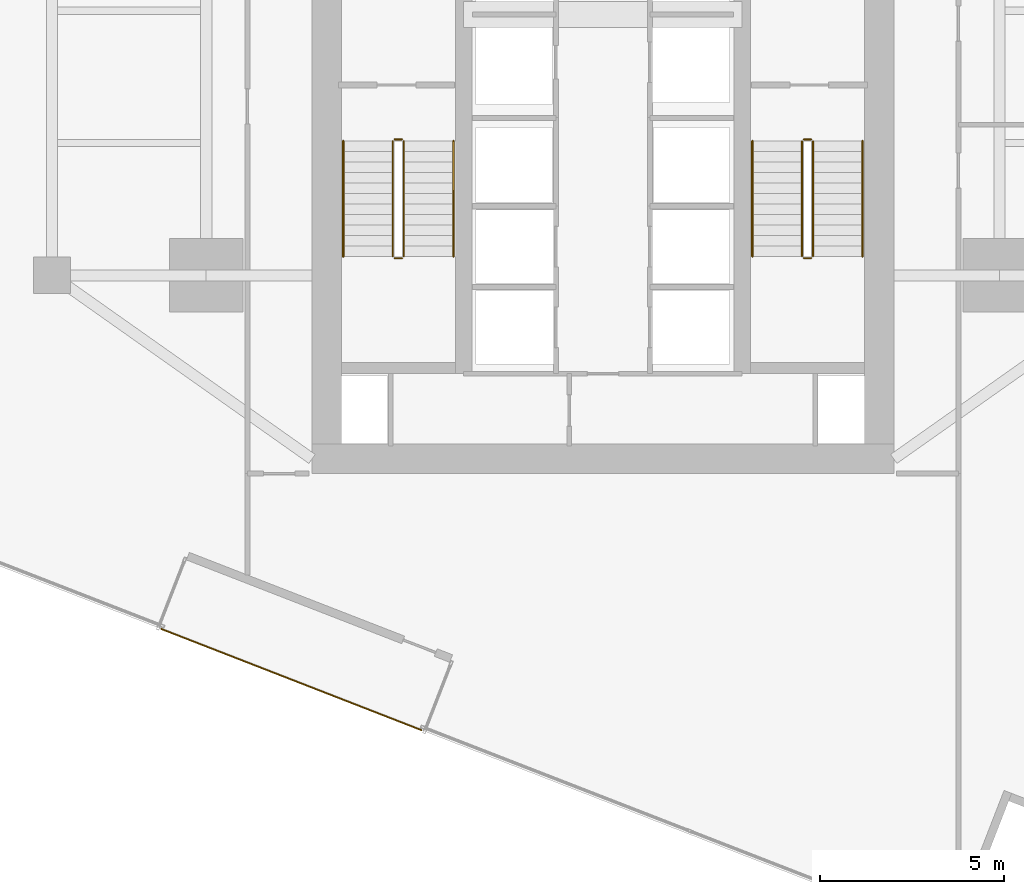
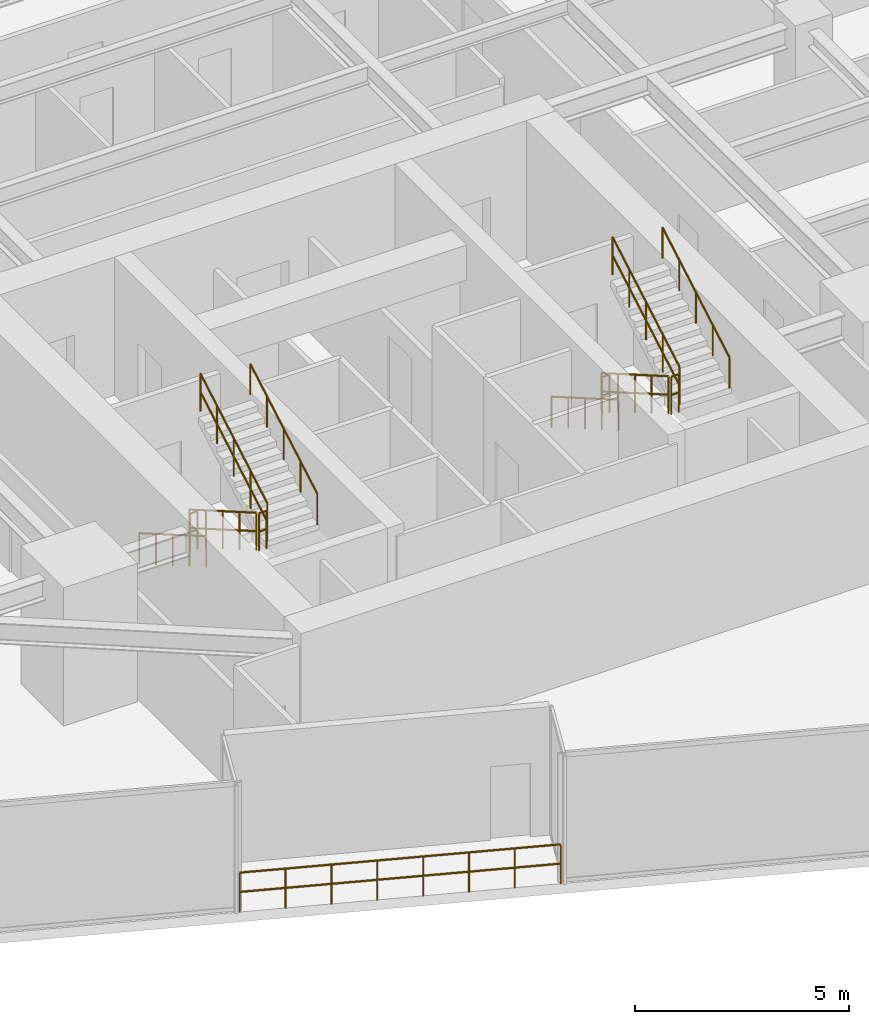
# One storey, part 25 of 26: 13 railings.
"""IFC4 building model written with IfcOpenShell, lengths in metres."""

from ifc_helpers import new_model, si_unit, direction, frame, origin, origin_2d, place, context, subcontext, project, spatial, circle, extrude, material, layer, layer_set, type_object, element, save


model = new_model("IFC4")

# Units and contexts
model_context = context("Model", 3, precision=1e-05, world=origin(), true_north=direction((0.0, 1.0)))
body_context = subcontext(model_context, "Body", "Model", "MODEL_VIEW")
ifc_project = project(units=[si_unit("LENGTHUNIT", "METRE"), si_unit("AREAUNIT", "SQUARE_METRE"), si_unit("VOLUMEUNIT", "CUBIC_METRE"), si_unit("PLANEANGLEUNIT", "RADIAN"), si_unit("MASSUNIT", "GRAM", prefix="KILO")], contexts=[model_context])

# Site, building, storey
site_placement = place(None, origin())
site = spatial("IfcSite", under=ifc_project, at=site_placement, CompositionType="ELEMENT")
building_placement = place(site_placement, origin())
building = spatial("IfcBuilding", under=site, at=building_placement, Name="Krantzveldt Concourse Tower", CompositionType="ELEMENT")
storey_placement = place(building_placement, frame((0.0, 0.0, 129.550048828125)))
storey = spatial("IfcBuildingStorey", under=building, at=storey_placement, Name="L31", CompositionType="ELEMENT", Elevation=129.550048828125)

# Railings
ifc_material = material(Name="Stainless steel 316L", Category="steel")
ifc_layer_1 = layer(ifc_material, 0.080078125, Name="Stainless steel 316L", Category="steel")
ifc_layer_set_1 = layer_set([ifc_layer_1], Name="Stainless steel 316L (RL-BALUSTRADE-1150)")
railing_type_1 = type_object("IfcRailingType", Name="RL-BALUSTRADE-1150", PredefinedType="BALUSTRADE", material=ifc_layer_set_1)
railing_1_placement = place(storey_placement, frame((31.060546875, 3.513671875, 0.0)))
element("IfcRailing", 1, at=railing_1_placement, inside=storey, type_object=railing_type_1, Name="GD-L31-CTER-01", PredefinedType="BALUSTRADE", context=body_context, shape_type="SweptSolid", body=[
    extrude(circle(Radius=0.02392578125, at=origin_2d()), frame((0.0, 0.0, 1.1259765625), z_axis=(-0.932002862961, 0.362450911756, 0.0), x_axis=(-0.362450911756, -0.932002862961, 0.0)), (0.0, 0.0, 1.0), 7.60009765625),
    extrude(circle(Radius=0.02392578125, at=origin_2d()), frame((0.0, 0.0, 0.574951171875), z_axis=(-0.932002862961, 0.362450911756, 0.0), x_axis=(-0.362450911756, -0.932002862961, 0.0)), (0.0, 0.0, 1.0), 7.60009765625),
    extrude(circle(Radius=0.02099609375, at=origin_2d()), origin(), (0.0, 0.0, 1.0), 1.101806640625),
    extrude(circle(Radius=0.02099609375, at=origin_2d()), frame((-1.011962890625, 0.3935546875, 0.0)), (0.0, 0.0, 1.0), 1.101806640625),
    extrude(circle(Radius=0.02099609375, at=origin_2d()), frame((-2.023681640625, 0.787109375, 0.0)), (0.0, 0.0, 1.0), 1.101806640625),
    extrude(circle(Radius=0.02099609375, at=origin_2d()), frame((-3.03564453125, 1.1806640625, 0.0)), (0.0, 0.0, 1.0), 1.101806640625),
    extrude(circle(Radius=0.02099609375, at=origin_2d()), frame((-4.047607421875, 1.573974609375, 0.0)), (0.0, 0.0, 1.0), 1.101806640625),
    extrude(circle(Radius=0.02099609375, at=origin_2d()), frame((-5.0595703125, 1.967529296875, 0.0)), (0.0, 0.0, 1.0), 1.101806640625),
    extrude(circle(Radius=0.02099609375, at=origin_2d()), frame((-6.0712890625, 2.361083984375, 0.0)), (0.0, 0.0, 1.0), 1.101806640625),
    extrude(circle(Radius=0.02099609375, at=origin_2d()), frame((-7.083251953125, 2.754638671875, 0.0)), (0.0, 0.0, 1.0), 1.101806640625),
])
ifc_layer_2 = layer(ifc_material, 0.06005859375, Name="Stainless steel 316L", Category="steel")
ifc_layer_set_2 = layer_set([ifc_layer_2], Name="Stainless steel 316L (RL-GUARD-1120)")
railing_type_2 = type_object("IfcRailingType", Name="RL-GUARD-1120", PredefinedType="GUARDRAIL", material=ifc_layer_set_2)
railing_2_placement = place(storey_placement, frame((30.280029296875, 19.550048828125, 0.16455078125)))
element("IfcRailing", 2, at=railing_2_placement, inside=storey, type_object=railing_type_2, Name="L31 ST-1 stair guard 1", PredefinedType="GUARDRAIL", context=body_context, shape_type="SweptSolid", body=[
    extrude(circle(Radius=0.02392578125, at=origin_2d()), frame((0.0, 0.0, 1.076171875), z_axis=(0.0, -0.865989039225, 0.500062979975), x_axis=(1.0, 0.0, 0.0)), (0.0, 0.0, 1.0), 3.6201171875),
    extrude(circle(Radius=0.02392578125, at=origin_2d()), frame((0.0, 0.0, 0.550048828125), z_axis=(0.0, -0.865989039225, 0.500062979975), x_axis=(1.0, 0.0, 0.0)), (0.0, 0.0, 1.0), 3.6201171875),
    extrude(circle(Radius=0.02099609375, at=origin_2d()), origin(), (0.0, 0.0, 1.0), 1.052001953125),
    extrude(circle(Radius=0.02099609375, at=origin_2d()), frame((0.0, -0.78369140625, 0.45263671875)), (0.0, 0.0, 1.0), 1.052001953125),
    extrude(circle(Radius=0.02099609375, at=origin_2d()), frame((0.0, -1.5673828125, 0.9052734375)), (0.0, 0.0, 1.0), 1.052001953125),
    extrude(circle(Radius=0.02099609375, at=origin_2d()), frame((0.0, -2.351318359375, 1.357666015625)), (0.0, 0.0, 1.0), 1.052001953125),
    extrude(circle(Radius=0.02099609375, at=origin_2d()), frame((0.0, -3.135009765625, 1.810302734375)), (0.0, 0.0, 1.0), 1.052001953125),
])
railing_3_placement = place(storey_placement, frame((30.330078125, 16.364990234375, 1.974853515625)))
element("IfcRailing", 3, at=railing_3_placement, inside=storey, type_object=railing_type_2, Name="L31 ST-1 stair guard 2", PredefinedType="GUARDRAIL", context=body_context, shape_type="SweptSolid", body=[
    extrude(circle(Radius=0.02392578125, at=origin_2d()), frame((0.0, 0.0, 1.076171875), z_axis=(1.0, 0.0, 0.0), x_axis=(0.0, 1.0, 0.0)), (0.0, 0.0, 1.0), 0.199951171875),
    extrude(circle(Radius=0.02392578125, at=origin_2d()), frame((0.0, 0.0, 0.550048828125), z_axis=(1.0, 0.0, 0.0), x_axis=(0.0, 1.0, 0.0)), (0.0, 0.0, 1.0), 0.199951171875),
    extrude(circle(Radius=0.02099609375, at=origin_2d()), origin(), (0.0, 0.0, 1.0), 1.052001953125),
    extrude(circle(Radius=0.02099609375, at=origin_2d()), frame((0.199951171875, 0.0, 0.0)), (0.0, 0.0, 1.0), 1.052001953125),
])
railing_4_placement = place(storey_placement, frame((30.580078125, 16.4150390625, 2.1396484375)))
element("IfcRailing", 4, at=railing_4_placement, inside=storey, type_object=railing_type_2, Name="L31 ST-1 stair guard 3", PredefinedType="GUARDRAIL", context=body_context, shape_type="SweptSolid", body=[
    extrude(circle(Radius=0.02392578125, at=origin_2d()), frame((0.0, 0.0, 1.076171875), z_axis=(0.0, 0.865989039225, 0.500062979975), x_axis=(-1.0, 0.0, 0.0)), (0.0, 0.0, 1.0), 3.6201171875),
    extrude(circle(Radius=0.02392578125, at=origin_2d()), frame((0.0, 0.0, 0.550048828125), z_axis=(0.0, 0.865989039225, 0.500062979975), x_axis=(-1.0, 0.0, 0.0)), (0.0, 0.0, 1.0), 3.6201171875),
    extrude(circle(Radius=0.02099609375, at=origin_2d()), origin(), (0.0, 0.0, 1.0), 1.052001953125),
    extrude(circle(Radius=0.02099609375, at=origin_2d()), frame((0.0, 0.78369140625, 0.45263671875)), (0.0, 0.0, 1.0), 1.052001953125),
    extrude(circle(Radius=0.02099609375, at=origin_2d()), frame((0.0, 1.5673828125, 0.9052734375)), (0.0, 0.0, 1.0), 1.052001953125),
    extrude(circle(Radius=0.02099609375, at=origin_2d()), frame((0.0, 2.351318359375, 1.357666015625)), (0.0, 0.0, 1.0), 1.052001953125),
    extrude(circle(Radius=0.02099609375, at=origin_2d()), frame((0.0, 3.135009765625, 1.810302734375)), (0.0, 0.0, 1.0), 1.052001953125),
])
railing_5_placement = place(storey_placement, frame((30.330078125, 19.60009765625, 0.0)))
element("IfcRailing", 5, at=railing_5_placement, inside=storey, type_object=railing_type_2, Name="L31 ST-1 stair guard 4", PredefinedType="GUARDRAIL", context=body_context, shape_type="SweptSolid", body=[
    extrude(circle(Radius=0.02392578125, at=origin_2d()), frame((0.0, 0.0, 1.076171875), z_axis=(1.0, 0.0, 0.0), x_axis=(0.0, 1.0, 0.0)), (0.0, 0.0, 1.0), 0.199951171875),
    extrude(circle(Radius=0.02392578125, at=origin_2d()), frame((0.0, 0.0, 0.550048828125), z_axis=(1.0, 0.0, 0.0), x_axis=(0.0, 1.0, 0.0)), (0.0, 0.0, 1.0), 0.199951171875),
    extrude(circle(Radius=0.02099609375, at=origin_2d()), origin(), (0.0, 0.0, 1.0), 1.052001953125),
    extrude(circle(Radius=0.02099609375, at=origin_2d()), frame((0.199951171875, 0.0, 0.0)), (0.0, 0.0, 1.0), 1.052001953125),
])
railing_6_placement = place(storey_placement, frame((41.419921875, 19.550048828125, 0.16455078125)))
element("IfcRailing", 6, at=railing_6_placement, inside=storey, type_object=railing_type_2, Name="L31 ST-2 stair guard 1", PredefinedType="GUARDRAIL", context=body_context, shape_type="SweptSolid", body=[
    extrude(circle(Radius=0.02392578125, at=origin_2d()), frame((0.0, 0.0, 1.076171875), z_axis=(0.0, -0.865989039225, 0.500062979975), x_axis=(1.0, 0.0, 0.0)), (0.0, 0.0, 1.0), 3.6201171875),
    extrude(circle(Radius=0.02392578125, at=origin_2d()), frame((0.0, 0.0, 0.550048828125), z_axis=(0.0, -0.865989039225, 0.500062979975), x_axis=(1.0, 0.0, 0.0)), (0.0, 0.0, 1.0), 3.6201171875),
    extrude(circle(Radius=0.02099609375, at=origin_2d()), origin(), (0.0, 0.0, 1.0), 1.052001953125),
    extrude(circle(Radius=0.02099609375, at=origin_2d()), frame((0.0, -0.78369140625, 0.45263671875)), (0.0, 0.0, 1.0), 1.052001953125),
    extrude(circle(Radius=0.02099609375, at=origin_2d()), frame((0.0, -1.5673828125, 0.9052734375)), (0.0, 0.0, 1.0), 1.052001953125),
    extrude(circle(Radius=0.02099609375, at=origin_2d()), frame((0.0, -2.351318359375, 1.357666015625)), (0.0, 0.0, 1.0), 1.052001953125),
    extrude(circle(Radius=0.02099609375, at=origin_2d()), frame((0.0, -3.135009765625, 1.810302734375)), (0.0, 0.0, 1.0), 1.052001953125),
])
railing_7_placement = place(storey_placement, frame((41.469970703125, 16.364990234375, 1.974853515625)))
element("IfcRailing", 7, at=railing_7_placement, inside=storey, type_object=railing_type_2, Name="L31 ST-2 stair guard 2", PredefinedType="GUARDRAIL", context=body_context, shape_type="SweptSolid", body=[
    extrude(circle(Radius=0.02392578125, at=origin_2d()), frame((0.0, 0.0, 1.076171875), z_axis=(1.0, 0.0, 0.0), x_axis=(0.0, 1.0, 0.0)), (0.0, 0.0, 1.0), 0.199951171875),
    extrude(circle(Radius=0.02392578125, at=origin_2d()), frame((0.0, 0.0, 0.550048828125), z_axis=(1.0, 0.0, 0.0), x_axis=(0.0, 1.0, 0.0)), (0.0, 0.0, 1.0), 0.199951171875),
    extrude(circle(Radius=0.02099609375, at=origin_2d()), origin(), (0.0, 0.0, 1.0), 1.052001953125),
    extrude(circle(Radius=0.02099609375, at=origin_2d()), frame((0.199951171875, 0.0, 0.0)), (0.0, 0.0, 1.0), 1.052001953125),
])
railing_8_placement = place(storey_placement, frame((41.719970703125, 16.4150390625, 2.1396484375)))
element("IfcRailing", 8, at=railing_8_placement, inside=storey, type_object=railing_type_2, Name="L31 ST-2 stair guard 3", PredefinedType="GUARDRAIL", context=body_context, shape_type="SweptSolid", body=[
    extrude(circle(Radius=0.02392578125, at=origin_2d()), frame((0.0, 0.0, 1.076171875), z_axis=(0.0, 0.865989039225, 0.500062979975), x_axis=(-1.0, 0.0, 0.0)), (0.0, 0.0, 1.0), 3.6201171875),
    extrude(circle(Radius=0.02392578125, at=origin_2d()), frame((0.0, 0.0, 0.550048828125), z_axis=(0.0, 0.865989039225, 0.500062979975), x_axis=(-1.0, 0.0, 0.0)), (0.0, 0.0, 1.0), 3.6201171875),
    extrude(circle(Radius=0.02099609375, at=origin_2d()), origin(), (0.0, 0.0, 1.0), 1.052001953125),
    extrude(circle(Radius=0.02099609375, at=origin_2d()), frame((0.0, 0.78369140625, 0.45263671875)), (0.0, 0.0, 1.0), 1.052001953125),
    extrude(circle(Radius=0.02099609375, at=origin_2d()), frame((0.0, 1.5673828125, 0.9052734375)), (0.0, 0.0, 1.0), 1.052001953125),
    extrude(circle(Radius=0.02099609375, at=origin_2d()), frame((0.0, 2.351318359375, 1.357666015625)), (0.0, 0.0, 1.0), 1.052001953125),
    extrude(circle(Radius=0.02099609375, at=origin_2d()), frame((0.0, 3.135009765625, 1.810302734375)), (0.0, 0.0, 1.0), 1.052001953125),
])
railing_9_placement = place(storey_placement, frame((41.469970703125, 19.60009765625, 0.0)))
element("IfcRailing", 9, at=railing_9_placement, inside=storey, type_object=railing_type_2, Name="L31 ST-2 stair guard 4", PredefinedType="GUARDRAIL", context=body_context, shape_type="SweptSolid", body=[
    extrude(circle(Radius=0.02392578125, at=origin_2d()), frame((0.0, 0.0, 1.076171875), z_axis=(1.0, 0.0, 0.0), x_axis=(0.0, 1.0, 0.0)), (0.0, 0.0, 1.0), 0.199951171875),
    extrude(circle(Radius=0.02392578125, at=origin_2d()), frame((0.0, 0.0, 0.550048828125), z_axis=(1.0, 0.0, 0.0), x_axis=(0.0, 1.0, 0.0)), (0.0, 0.0, 1.0), 0.199951171875),
    extrude(circle(Radius=0.02099609375, at=origin_2d()), origin(), (0.0, 0.0, 1.0), 1.052001953125),
    extrude(circle(Radius=0.02099609375, at=origin_2d()), frame((0.199951171875, 0.0, 0.0)), (0.0, 0.0, 1.0), 1.052001953125),
])
ifc_layer_3 = layer(ifc_material, 0.050048828125, Name="Stainless steel 316L", Category="steel")
ifc_layer_set_3 = layer_set([ifc_layer_3], Name="Stainless steel 316L (RL-HANDRAIL-920)")
railing_type_3 = type_object("IfcRailingType", Name="RL-HANDRAIL-920", PredefinedType="HANDRAIL", material=ifc_layer_set_3)
railing_10_placement = place(storey_placement, frame((28.929931640625, 19.550048828125, 0.16455078125)))
element("IfcRailing", 10, at=railing_10_placement, inside=storey, type_object=railing_type_3, Name="L31 ST-1 stair handrail 1", PredefinedType="HANDRAIL", context=body_context, shape_type="SweptSolid", body=[
    extrude(circle(Radius=0.02392578125, at=origin_2d()), frame((0.0, 0.0, 0.8759765625), z_axis=(0.0, -0.865989039225, 0.500062979975), x_axis=(1.0, 0.0, 0.0)), (0.0, 0.0, 1.0), 3.6201171875),
    extrude(circle(Radius=0.02099609375, at=origin_2d()), origin(), (0.0, 0.0, 1.0), 0.851806640625),
    extrude(circle(Radius=0.02099609375, at=origin_2d()), frame((0.0, -0.78369140625, 0.45263671875)), (0.0, 0.0, 1.0), 0.851806640625),
    extrude(circle(Radius=0.02099609375, at=origin_2d()), frame((0.0, -1.5673828125, 0.9052734375)), (0.0, 0.0, 1.0), 0.851806640625),
    extrude(circle(Radius=0.02099609375, at=origin_2d()), frame((0.0, -2.351318359375, 1.357666015625)), (0.0, 0.0, 1.0), 0.851806640625),
    extrude(circle(Radius=0.02099609375, at=origin_2d()), frame((0.0, -3.135009765625, 1.810302734375)), (0.0, 0.0, 1.0), 0.851806640625),
])
railing_11_placement = place(storey_placement, frame((31.929931640625, 16.4150390625, 2.1396484375)))
element("IfcRailing", 11, at=railing_11_placement, inside=storey, type_object=railing_type_3, Name="L31 ST-1 stair handrail 2", PredefinedType="HANDRAIL", context=body_context, shape_type="SweptSolid", body=[
    extrude(circle(Radius=0.02392578125, at=origin_2d()), frame((0.0, 0.0, 0.8759765625), z_axis=(0.0, 0.865989039225, 0.500062979975), x_axis=(-1.0, 0.0, 0.0)), (0.0, 0.0, 1.0), 3.6201171875),
    extrude(circle(Radius=0.02099609375, at=origin_2d()), origin(), (0.0, 0.0, 1.0), 0.851806640625),
    extrude(circle(Radius=0.02099609375, at=origin_2d()), frame((0.0, 0.78369140625, 0.45263671875)), (0.0, 0.0, 1.0), 0.851806640625),
    extrude(circle(Radius=0.02099609375, at=origin_2d()), frame((0.0, 1.5673828125, 0.9052734375)), (0.0, 0.0, 1.0), 0.851806640625),
    extrude(circle(Radius=0.02099609375, at=origin_2d()), frame((0.0, 2.351318359375, 1.357666015625)), (0.0, 0.0, 1.0), 0.851806640625),
    extrude(circle(Radius=0.02099609375, at=origin_2d()), frame((0.0, 3.135009765625, 1.810302734375)), (0.0, 0.0, 1.0), 0.851806640625),
])
railing_12_placement = place(storey_placement, frame((40.070068359375, 19.550048828125, 0.16455078125)))
element("IfcRailing", 12, at=railing_12_placement, inside=storey, type_object=railing_type_3, Name="L31 ST-2 stair handrail 1", PredefinedType="HANDRAIL", context=body_context, shape_type="SweptSolid", body=[
    extrude(circle(Radius=0.02392578125, at=origin_2d()), frame((0.0, 0.0, 0.8759765625), z_axis=(0.0, -0.865989039225, 0.500062979975), x_axis=(1.0, 0.0, 0.0)), (0.0, 0.0, 1.0), 3.6201171875),
    extrude(circle(Radius=0.02099609375, at=origin_2d()), origin(), (0.0, 0.0, 1.0), 0.851806640625),
    extrude(circle(Radius=0.02099609375, at=origin_2d()), frame((0.0, -0.78369140625, 0.45263671875)), (0.0, 0.0, 1.0), 0.851806640625),
    extrude(circle(Radius=0.02099609375, at=origin_2d()), frame((0.0, -1.5673828125, 0.9052734375)), (0.0, 0.0, 1.0), 0.851806640625),
    extrude(circle(Radius=0.02099609375, at=origin_2d()), frame((0.0, -2.351318359375, 1.357666015625)), (0.0, 0.0, 1.0), 0.851806640625),
    extrude(circle(Radius=0.02099609375, at=origin_2d()), frame((0.0, -3.135009765625, 1.810302734375)), (0.0, 0.0, 1.0), 0.851806640625),
])
railing_13_placement = place(storey_placement, frame((43.070068359375, 16.4150390625, 2.1396484375)))
element("IfcRailing", 13, at=railing_13_placement, inside=storey, type_object=railing_type_3, Name="L31 ST-2 stair handrail 2", PredefinedType="HANDRAIL", context=body_context, shape_type="SweptSolid", body=[
    extrude(circle(Radius=0.02392578125, at=origin_2d()), frame((0.0, 0.0, 0.8759765625), z_axis=(0.0, 0.865989039225, 0.500062979975), x_axis=(-1.0, 0.0, 0.0)), (0.0, 0.0, 1.0), 3.6201171875),
    extrude(circle(Radius=0.02099609375, at=origin_2d()), origin(), (0.0, 0.0, 1.0), 0.851806640625),
    extrude(circle(Radius=0.02099609375, at=origin_2d()), frame((0.0, 0.78369140625, 0.45263671875)), (0.0, 0.0, 1.0), 0.851806640625),
    extrude(circle(Radius=0.02099609375, at=origin_2d()), frame((0.0, 1.5673828125, 0.9052734375)), (0.0, 0.0, 1.0), 0.851806640625),
    extrude(circle(Radius=0.02099609375, at=origin_2d()), frame((0.0, 2.351318359375, 1.357666015625)), (0.0, 0.0, 1.0), 0.851806640625),
    extrude(circle(Radius=0.02099609375, at=origin_2d()), frame((0.0, 3.135009765625, 1.810302734375)), (0.0, 0.0, 1.0), 0.851806640625),
])

save(model, "model.ifc")
